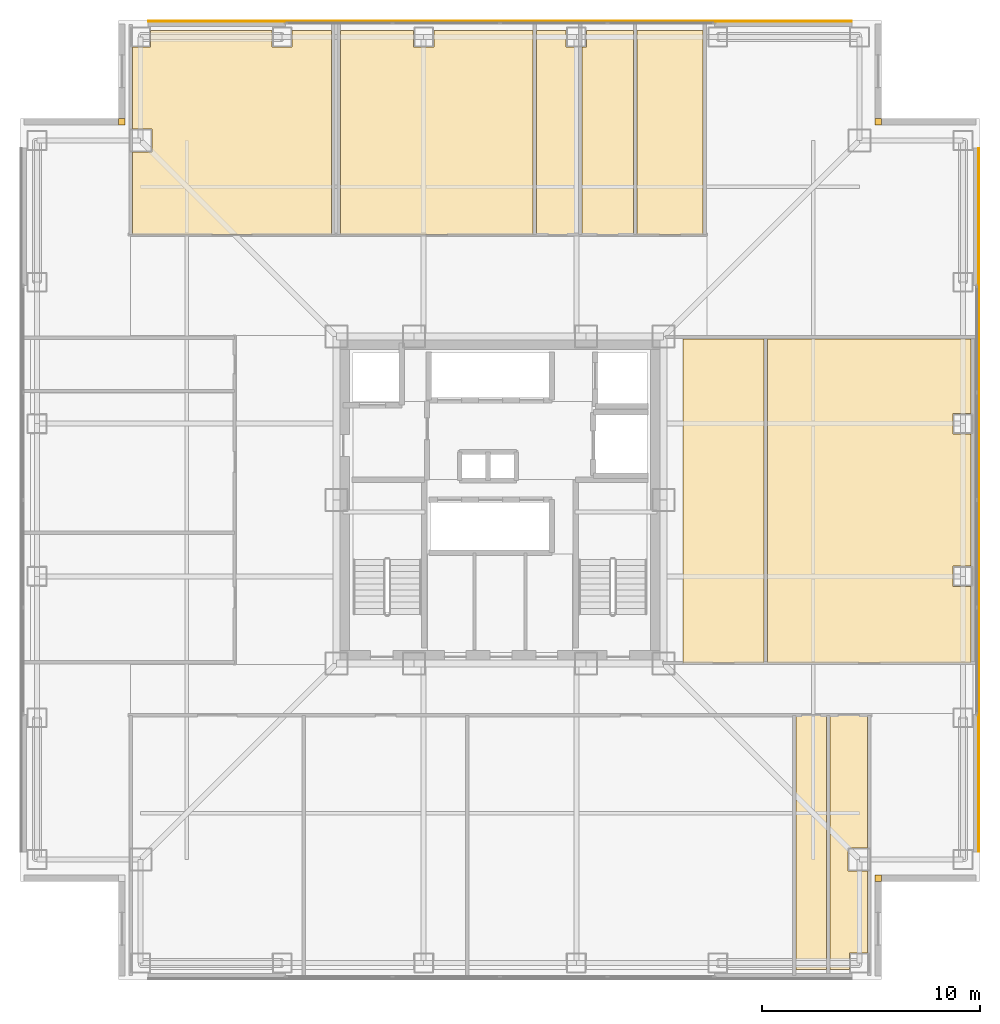
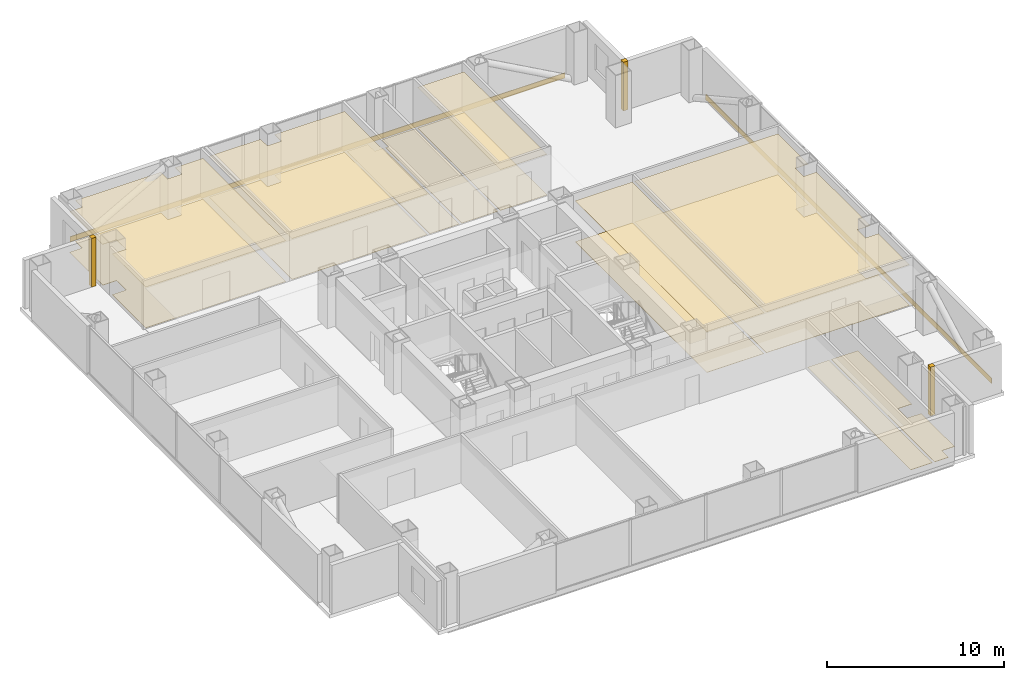
# One storey, part 16 of 16: 19 coverings.
"""IFC4 building model written with IfcOpenShell, lengths in metres."""

from ifc_helpers import new_model, si_unit, direction, frame, frame_2d, origin, place, context, subcontext, project, spatial, polyline, rectangle, outline, extrude, material, layer, layer_set, type_object, element, save


model = new_model("IFC4")

# Units and contexts
model_context = context("Model", 3, precision=1e-05, world=origin(), true_north=direction((0.0, 1.0)))
body_context = subcontext(model_context, "Body", "Model", "MODEL_VIEW")
ifc_project = project(units=[si_unit("LENGTHUNIT", "METRE"), si_unit("AREAUNIT", "SQUARE_METRE"), si_unit("VOLUMEUNIT", "CUBIC_METRE"), si_unit("PLANEANGLEUNIT", "RADIAN"), si_unit("MASSUNIT", "GRAM", prefix="KILO")], contexts=[model_context])

# Site, building, storey
site_placement = place(None, origin())
site = spatial("IfcSite", under=ifc_project, at=site_placement, CompositionType="ELEMENT")
building_placement = place(site_placement, origin())
building = spatial("IfcBuilding", under=site, at=building_placement, Name="Trevonay Congress Spire", CompositionType="ELEMENT")
storey_placement = place(building_placement, frame((0.0, 0.0, 101.199951171875)))
storey = spatial("IfcBuildingStorey", under=building, at=storey_placement, Name="L25", CompositionType="ELEMENT", Elevation=101.199951171875)

# Coverings
ifc_material_1 = material(Name="Acoustic Mineral Fibre Board", Category="gypsum")
ifc_layer_1 = layer(ifc_material_1, 0.02490234375, Name="Acoustic Mineral Fibre Board")
ifc_layer_set_1 = layer_set([ifc_layer_1], Name="Acoustic Mineral Fibre Board")
covering_type_1 = type_object("IfcCoveringType", Name="COV-CEIL-ACOUSTIC", PredefinedType="CEILING", material=ifc_layer_set_1)
covering_1_placement = place(storey_placement, frame((0.0, 0.0, 2.81005859375)))
element("IfcCovering", 1, at=covering_1_placement, inside=storey, type_object=covering_type_1, Name="L25 Treaty Seminar Salon North-West acoustic suspended ceiling", PredefinedType="CEILING", context=body_context, shape_type="SweptSolid", body=[
    extrude(outline(polyline([(-7.72998046875, 21.550048828125), (-7.72998046875, 12.179931640625), (-16.8701171875, 12.179931640625), (-16.8701171875, 15.965087890625), (-15.965087890625, 15.965087890625), (-15.965087890625, 17.034912109375), (-16.8701171875, 17.034912109375), (-16.8701171875, 20.7900390625), (-16.0400390625, 20.7900390625), (-16.0400390625, 21.550048828125), (-10.4599609375, 21.550048828125), (-10.4599609375, 20.7900390625), (-9.5400390625, 20.7900390625), (-9.5400390625, 21.550048828125), (-7.72998046875, 21.550048828125)])), origin(), (0.0, 0.0, 1.0), 0.02490234375),
])
covering_2_placement = place(storey_placement, frame((0.0, 0.0, 2.81005859375)))
element("IfcCovering", 2, at=covering_2_placement, inside=storey, type_object=covering_type_1, Name="L25 North-East Policy Research Studio acoustic suspended ceiling", PredefinedType="CEILING", context=body_context, shape_type="SweptSolid", body=[
    extrude(outline(polyline([(1.52001953125, 21.550048828125), (1.52001953125, 12.179931640625), (-7.320068359375, 12.179931640625), (-7.320068359375, 21.550048828125), (-3.9599609375, 21.550048828125), (-3.9599609375, 20.7900390625), (-3.0400390625, 20.7900390625), (-3.0400390625, 21.550048828125), (1.52001953125, 21.550048828125)])), origin(), (0.0, 0.0, 1.0), 0.02490234375),
])
covering_3_placement = place(storey_placement, frame((0.0, 0.0, 2.81005859375)))
element("IfcCovering", 3, at=covering_3_placement, inside=storey, type_object=covering_type_1, Name="L25 Tea Pantry acoustic suspended ceiling", PredefinedType="CEILING", context=body_context, shape_type="SweptSolid", body=[
    extrude(outline(polyline([(6.280029296875, 12.179931640625), (9.320068359375, 12.179931640625), (9.320068359375, 21.550048828125), (6.280029296875, 21.550048828125), (6.280029296875, 12.179931640625)])), origin(), (0.0, 0.0, 1.0), 0.02490234375),
])
covering_4_placement = place(storey_placement, frame((0.0, 0.0, 2.81005859375)))
element("IfcCovering", 4, at=covering_4_placement, inside=storey, type_object=covering_type_1, Name="L25 East Diplomatic Briefing Room acoustic suspended ceiling", PredefinedType="CEILING", context=body_context, shape_type="SweptSolid", body=[
    extrude(outline(polyline([(8.39990234375, -7.47998046875), (12.1201171875, -7.47998046875), (12.1201171875, 7.39990234375), (8.39990234375, 7.39990234375), (8.39990234375, -7.47998046875)])), origin(), (0.0, 0.0, 1.0), 0.02490234375),
])
covering_5_placement = place(storey_placement, frame((0.0, 0.0, 2.81005859375)))
element("IfcCovering", 5, at=covering_5_placement, inside=storey, type_object=covering_type_1, Name="L25 Document Print Office acoustic suspended ceiling", PredefinedType="CEILING", context=body_context, shape_type="SweptSolid", body=[
    extrude(outline(polyline([(21.6201171875, -7.47998046875), (12.280029296875, -7.47998046875), (12.280029296875, 7.39990234375), (21.6201171875, 7.39990234375), (21.6201171875, 3.9599609375), (20.7900390625, 3.9599609375), (20.7900390625, 3.0400390625), (21.6201171875, 3.0400390625), (21.6201171875, -3.0400390625), (20.7900390625, -3.0400390625), (20.7900390625, -3.9599609375), (21.6201171875, -3.9599609375), (21.6201171875, -7.47998046875)])), origin(), (0.0, 0.0, 1.0), 0.02490234375),
])
ifc_material_2 = material(Name="Polished Granite Floor Tile", Category="masonry")
ifc_layer_2 = layer(ifc_material_2, 0.02001953125, Name="Polished Granite Floor Tile")
ifc_layer_set_2 = layer_set([ifc_layer_2], Name="Polished Granite Floor Tile")
covering_type_2 = type_object("IfcCoveringType", Name="COV-FLOOR-STONE", PredefinedType="FLOORING", material=ifc_layer_set_2)
covering_6_placement = place(storey_placement, origin())
element("IfcCovering", 6, at=covering_6_placement, inside=storey, type_object=covering_type_2, Name="L25 Accessible WC floor finish", PredefinedType="FLOORING", context=body_context, shape_type="SweptSolid", body=[
    extrude(outline(polyline([(13.580078125, -21.550048828125), (14.97998046875, -21.550048828125), (14.97998046875, -9.8798828125), (13.580078125, -9.8798828125), (13.580078125, -21.550048828125)])), origin(), (0.0, 0.0, 1.0), 0.02001953125),
])
covering_7_placement = place(storey_placement, origin())
element("IfcCovering", 7, at=covering_7_placement, inside=storey, type_object=covering_type_2, Name="L25 Floor Supplies and Copy Room floor finish", PredefinedType="FLOORING", context=body_context, shape_type="SweptSolid", body=[
    extrude(outline(polyline([(15.139892578125, -21.550048828125), (15.139892578125, -9.8798828125), (16.8701171875, -9.8798828125), (16.8701171875, -15.965087890625), (15.965087890625, -15.965087890625), (15.965087890625, -17.034912109375), (16.8701171875, -17.034912109375), (16.8701171875, -20.7900390625), (16.0400390625, -20.7900390625), (16.0400390625, -21.550048828125), (15.139892578125, -21.550048828125)])), origin(), (0.0, 0.0, 1.0), 0.02001953125),
])
covering_8_placement = place(storey_placement, origin())
element("IfcCovering", 8, at=covering_8_placement, inside=storey, type_object=covering_type_2, Name="L25 Female Restroom WC floor finish", PredefinedType="FLOORING", context=body_context, shape_type="SweptSolid", body=[
    extrude(outline(polyline([(3.60009765625, 12.179931640625), (1.679931640625, 12.179931640625), (1.679931640625, 21.550048828125), (3.0400390625, 21.550048828125), (3.0400390625, 20.7900390625), (3.60009765625, 20.7900390625), (3.60009765625, 12.179931640625)])), origin(), (0.0, 0.0, 1.0), 0.02001953125),
])
covering_9_placement = place(storey_placement, origin())
element("IfcCovering", 9, at=covering_9_placement, inside=storey, type_object=covering_type_2, Name="L25 Floor Supplies and Copy Room floor finish", PredefinedType="FLOORING", context=body_context, shape_type="SweptSolid", body=[
    extrude(outline(polyline([(6.1201171875, 21.550048828125), (6.1201171875, 12.179931640625), (3.760009765625, 12.179931640625), (3.760009765625, 20.7900390625), (3.9599609375, 20.7900390625), (3.9599609375, 21.550048828125), (6.1201171875, 21.550048828125)])), origin(), (0.0, 0.0, 1.0), 0.02001953125),
])
covering_10_placement = place(storey_placement, origin())
element("IfcCovering", 10, at=covering_10_placement, inside=storey, type_object=covering_type_2, Name="L25 Tea Pantry floor finish", PredefinedType="FLOORING", context=body_context, shape_type="SweptSolid", body=[
    extrude(outline(polyline([(6.280029296875, 12.179931640625), (9.320068359375, 12.179931640625), (9.320068359375, 21.550048828125), (6.280029296875, 21.550048828125), (6.280029296875, 12.179931640625)])), origin(), (0.0, 0.0, 1.0), 0.02001953125),
])
ifc_material_3 = material(Name="Engineered Oak Flooring", Category="wood")
ifc_layer_3 = layer(ifc_material_3, 0.01806640625, Name="Engineered Oak Flooring")
ifc_layer_set_3 = layer_set([ifc_layer_3], Name="Engineered Oak Flooring")
covering_type_3 = type_object("IfcCoveringType", Name="COV-FLOOR-TIMBER", PredefinedType="FLOORING", material=ifc_layer_set_3)
covering_11_placement = place(storey_placement, origin())
element("IfcCovering", 11, at=covering_11_placement, inside=storey, type_object=covering_type_3, Name="L25 Treaty Seminar Salon North-West floor finish", PredefinedType="FLOORING", context=body_context, shape_type="SweptSolid", body=[
    extrude(outline(polyline([(-7.72998046875, 21.550048828125), (-7.72998046875, 12.179931640625), (-16.8701171875, 12.179931640625), (-16.8701171875, 15.965087890625), (-15.965087890625, 15.965087890625), (-15.965087890625, 17.034912109375), (-16.8701171875, 17.034912109375), (-16.8701171875, 20.7900390625), (-16.0400390625, 20.7900390625), (-16.0400390625, 21.550048828125), (-10.4599609375, 21.550048828125), (-10.4599609375, 20.7900390625), (-9.5400390625, 20.7900390625), (-9.5400390625, 21.550048828125), (-7.72998046875, 21.550048828125)])), origin(), (0.0, 0.0, 1.0), 0.01806640625),
])
covering_12_placement = place(storey_placement, origin())
element("IfcCovering", 12, at=covering_12_placement, inside=storey, type_object=covering_type_3, Name="L25 North-East Policy Research Studio floor finish", PredefinedType="FLOORING", context=body_context, shape_type="SweptSolid", body=[
    extrude(outline(polyline([(1.52001953125, 21.550048828125), (1.52001953125, 12.179931640625), (-7.320068359375, 12.179931640625), (-7.320068359375, 21.550048828125), (-3.9599609375, 21.550048828125), (-3.9599609375, 20.7900390625), (-3.0400390625, 20.7900390625), (-3.0400390625, 21.550048828125), (1.52001953125, 21.550048828125)])), origin(), (0.0, 0.0, 1.0), 0.01806640625),
])
covering_13_placement = place(storey_placement, origin())
element("IfcCovering", 13, at=covering_13_placement, inside=storey, type_object=covering_type_3, Name="L25 East Diplomatic Briefing Room floor finish", PredefinedType="FLOORING", context=body_context, shape_type="SweptSolid", body=[
    extrude(outline(polyline([(8.39990234375, -7.47998046875), (12.1201171875, -7.47998046875), (12.1201171875, 7.39990234375), (8.39990234375, 7.39990234375), (8.39990234375, -7.47998046875)])), origin(), (0.0, 0.0, 1.0), 0.01806640625),
])
covering_14_placement = place(storey_placement, origin())
element("IfcCovering", 14, at=covering_14_placement, inside=storey, type_object=covering_type_3, Name="L25 Document Print Office floor finish", PredefinedType="FLOORING", context=body_context, shape_type="SweptSolid", body=[
    extrude(outline(polyline([(21.6201171875, -7.47998046875), (12.280029296875, -7.47998046875), (12.280029296875, 7.39990234375), (21.6201171875, 7.39990234375), (21.6201171875, 3.9599609375), (20.7900390625, 3.9599609375), (20.7900390625, 3.0400390625), (21.6201171875, 3.0400390625), (21.6201171875, -3.0400390625), (20.7900390625, -3.0400390625), (20.7900390625, -3.9599609375), (21.6201171875, -3.9599609375), (21.6201171875, -7.47998046875)])), origin(), (0.0, 0.0, 1.0), 0.01806640625),
])
ifc_material_4 = material(Name="Pale Anodised Aluminium EN AW-6063-T6", Category="aluminium")
ifc_layer_4 = layer(ifc_material_4, 0.0400390625, Name="Pale Anodised Aluminium EN AW-6063-T6")
ifc_layer_set_4 = layer_set([ifc_layer_4], Name="Pale Anodised Aluminium EN AW-6063-T6")
covering_type_4 = type_object("IfcCoveringType", Name="COV-SPANDREL-PALE-METAL", PredefinedType="CLADDING", material=ifc_layer_set_4)
for number, where, z_axis, x_axis, name in (
    (15, (-16.14990234375, 21.97998046875, -0.239990234375), (0.0, 0.0, 1.0), (1.0, 0.0, 0.0), "L25 N pale-metal slab-edge spandrel cladding"),
    (16, (21.97998046875, -16.14990234375, -0.239990234375), (0.0, 0.0, 1.0), (0.0, 1.0, 0.0), "L25 E pale-metal slab-edge spandrel cladding"),
):
    element("IfcCovering", number, at=place(storey_placement, frame(where, z_axis=z_axis, x_axis=x_axis)), inside=storey, type_object=covering_type_4, Name=name, PredefinedType="CLADDING", context=body_context, shape_type="SweptSolid", body=[
        extrude(rectangle(XDim=32.2998046875, YDim=0.0400390625, at=frame_2d((16.14990234375, 0.0))), origin(), (0.0, 0.0, 1.0), 0.360107421875),
    ])
covering_15_placement = place(storey_placement, origin())
element("IfcCovering", 17, at=covering_15_placement, inside=storey, type_object=covering_type_4, Name="L25 SE re-entrant notch corner closure trim", PredefinedType="CLADDING", context=body_context, shape_type="SweptSolid", body=[
    extrude(outline(polyline([(17.199951171875, -17.5), (17.5, -17.5), (17.5, -17.199951171875), (17.199951171875, -17.199951171875), (17.199951171875, -17.5)])), origin(), (0.0, 0.0, 1.0), 3.360107421875),
])
covering_16_placement = place(storey_placement, origin())
element("IfcCovering", 18, at=covering_16_placement, inside=storey, type_object=covering_type_4, Name="L25 NE re-entrant notch corner closure trim", PredefinedType="CLADDING", context=body_context, shape_type="SweptSolid", body=[
    extrude(outline(polyline([(17.199951171875, 17.199951171875), (17.5, 17.199951171875), (17.5, 17.5), (17.199951171875, 17.5), (17.199951171875, 17.199951171875)])), origin(), (0.0, 0.0, 1.0), 3.360107421875),
])
covering_17_placement = place(storey_placement, origin())
element("IfcCovering", 19, at=covering_17_placement, inside=storey, type_object=covering_type_4, Name="L25 NW re-entrant notch corner closure trim", PredefinedType="CLADDING", context=body_context, shape_type="SweptSolid", body=[
    extrude(outline(polyline([(-17.5, 17.199951171875), (-17.199951171875, 17.199951171875), (-17.199951171875, 17.5), (-17.5, 17.5), (-17.5, 17.199951171875)])), origin(), (0.0, 0.0, 1.0), 3.360107421875),
])

save(model, "model.ifc")
